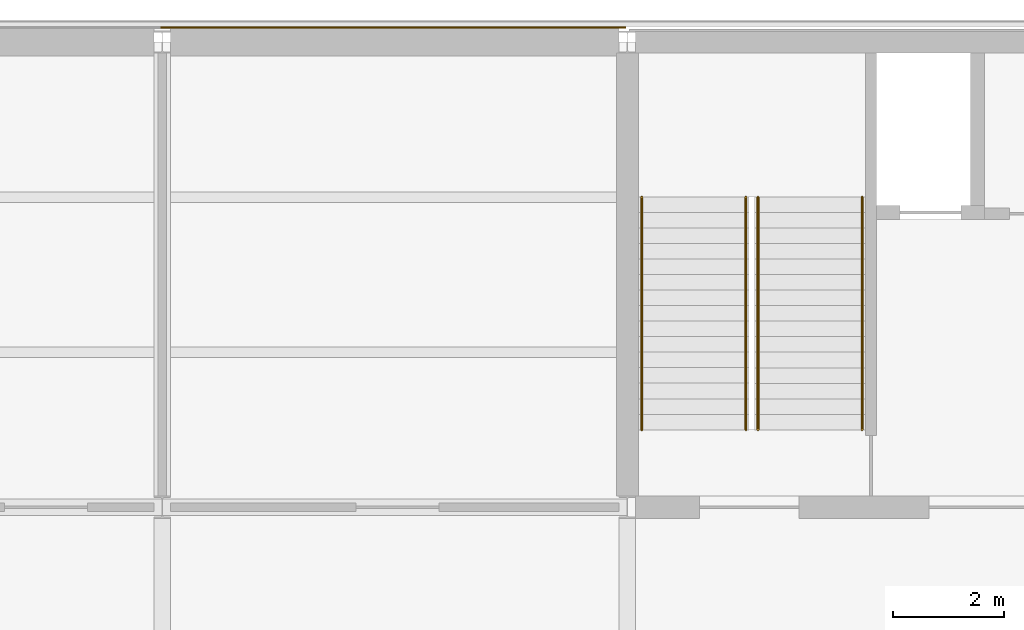
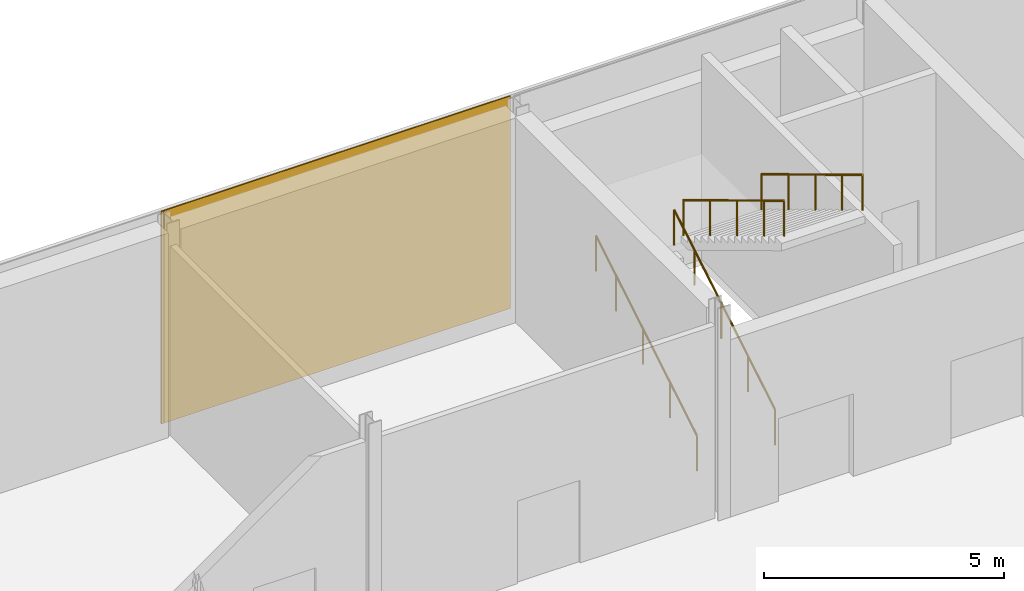
# One storey, part 42 of 57: 4 railings, 2 coverings.
"""IFC4 building model written with IfcOpenShell, lengths in metres."""

from ifc_helpers import new_model, si_unit, direction, frame, origin, origin_2d, place, context, subcontext, project, spatial, rectangle, circle, extrude, material, layer, layer_set, type_object, element, save


model = new_model("IFC4")

# Units and contexts
model_context = context("Model", 3, precision=1e-05, world=origin(), true_north=direction((0.0, 1.0)))
body_context = subcontext(model_context, "Body", "Model", "MODEL_VIEW")
ifc_project = project(units=[si_unit("LENGTHUNIT", "METRE"), si_unit("AREAUNIT", "SQUARE_METRE"), si_unit("VOLUMEUNIT", "CUBIC_METRE"), si_unit("PLANEANGLEUNIT", "RADIAN"), si_unit("MASSUNIT", "GRAM", prefix="KILO")], contexts=[model_context])

# Site, building, storey
site_placement = place(None, origin())
site = spatial("IfcSite", under=ifc_project, at=site_placement, CompositionType="ELEMENT")
building_placement = place(site_placement, origin())
building = spatial("IfcBuilding", under=site, at=building_placement, Name="Galleria Vessillo Department Store", CompositionType="ELEMENT")
storey_placement = place(building_placement, frame((0.0, 0.0, 25.800048828125)))
storey = spatial("IfcBuildingStorey", under=building, at=storey_placement, Name="L05", CompositionType="ELEMENT", Elevation=25.800048828125)

# Coverings
ifc_material_1 = material(Name="Lime plaster (intonaco) ochre")
ifc_layer = layer(ifc_material_1, 0.030029296875)
ifc_layer_set = layer_set([ifc_layer], Name="Lime plaster (intonaco) ochre")
covering_type = type_object("IfcCoveringType", Name="Lime plaster render 30 mm", PredefinedType="CLADDING", material=ifc_layer_set)
covering_1_placement = place(storey_placement, frame((29.39990234375, 63.264892578125, 0.0), z_axis=(0.0, 0.0, 1.0), x_axis=(1.0, 0.0, 0.0)))
element("IfcCovering", 1, at=covering_1_placement, inside=storey, type_object=covering_type, Name="Wall cladding S-PN-L05-03", PredefinedType="CLADDING", context=body_context, shape_type="SweptSolid", body=[
    extrude(rectangle(XDim=8.34033203125, YDim=0.030029296875, at=origin_2d()), origin(), (0.0, 0.0, 1.0), 5.39990234375),
])
covering_2_placement = place(storey_placement, frame((25.199951171875, 63.264892578125, 0.0), z_axis=(0.0, 0.0, 1.0), x_axis=(1.0, 0.0, 0.0)))
element("IfcCovering", 2, at=covering_2_placement, inside=storey, type_object=covering_type, Name="Joint block Wall cladding S-PN-L05-02", PredefinedType="CLADDING", context=body_context, shape_type="SweptSolid", body=[
    extrude(rectangle(XDim=0.059814453125, YDim=0.030029296875, at=origin_2d()), origin(), (0.0, 0.0, 1.0), 5.39990234375),
])

# Railings
ifc_material_2 = material(Name="Stainless steel tube", Category="steel")
railing_type = type_object("IfcRailingType", Name="Stair handrail steel tube 48 mm", PredefinedType="HANDRAIL", material=ifc_material_2)
for number, where, name in (
    (3, (33.860107421875, 56.0, 0.168701171875), "Handrail ST4 L05 flight 1A"),
    (4, (35.739990234375, 56.0, 0.168701171875), "Handrail ST4 L05 flight 1B"),
):
    element("IfcRailing", number, at=place(storey_placement, frame(where)), inside=storey, type_object=railing_type, Name=name, PredefinedType="HANDRAIL", context=body_context, shape_type="SweptSolid", body=[
        extrude(circle(Radius=0.02392578125, at=origin_2d()), frame((0.0, 0.0, 0.89599609375), z_axis=(0.0, 0.856486514401, 0.516169401116), x_axis=(-1.0, 0.0, 0.0)), (0.0, 0.0, 1.0), 1.307861328125),
        extrude(circle(Radius=0.02392578125, at=origin_2d()), frame((0.0, 1.1201171875, 1.57080078125), z_axis=(0.0, 0.856436765236, 0.516251941548), x_axis=(-1.0, 0.0, 0.0)), (0.0, 0.0, 1.0), 1.3076171875),
        extrude(circle(Radius=0.02392578125, at=origin_2d()), frame((0.0, 2.239990234375, 2.24609375), z_axis=(0.0, 0.856486514401, 0.516169401116), x_axis=(-1.0, 0.0, 0.0)), (0.0, 0.0, 1.0), 1.307861328125),
        extrude(circle(Radius=0.02392578125, at=origin_2d()), frame((0.0, 3.360107421875, 2.9208984375), z_axis=(0.0, 0.856502732318, 0.516142489563), x_axis=(-1.0, 0.0, 0.0)), (0.0, 0.0, 1.0), 0.98046875),
        extrude(circle(Radius=0.02099609375, at=origin_2d()), origin(), (0.0, 0.0, 1.0), 0.871826171875),
        extrude(circle(Radius=0.02099609375, at=origin_2d()), frame((0.0, 1.1201171875, 0.675048828125)), (0.0, 0.0, 1.0), 0.871826171875),
        extrude(circle(Radius=0.02099609375, at=origin_2d()), frame((0.0, 2.239990234375, 1.35009765625)), (0.0, 0.0, 1.0), 0.871826171875),
        extrude(circle(Radius=0.02099609375, at=origin_2d()), frame((0.0, 3.360107421875, 2.025146484375)), (0.0, 0.0, 1.0), 0.871826171875),
        extrude(circle(Radius=0.02099609375, at=origin_2d()), frame((0.0, 4.199951171875, 2.53125)), (0.0, 0.0, 1.0), 0.871826171875),
    ])
for number, where, name in (
    (5, (37.83984375, 60.199951171875, 2.86865234375), "Handrail ST4 L05 flight 2A"),
    (6, (35.9599609375, 60.199951171875, 2.86865234375), "Handrail ST4 L05 flight 2B"),
):
    element("IfcRailing", number, at=place(storey_placement, frame(where)), inside=storey, type_object=railing_type, Name=name, PredefinedType="HANDRAIL", context=body_context, shape_type="SweptSolid", body=[
        extrude(circle(Radius=0.02392578125, at=origin_2d()), frame((0.0, 0.0, 0.89599609375), z_axis=(0.0, -0.856486514401, 0.516169401116), x_axis=(1.0, 0.0, 0.0)), (0.0, 0.0, 1.0), 1.307861328125),
        extrude(circle(Radius=0.02392578125, at=origin_2d()), frame((0.0, -1.1201171875, 1.57080078125), z_axis=(0.0, -0.856436765236, 0.516251941548), x_axis=(1.0, 0.0, 0.0)), (0.0, 0.0, 1.0), 1.3076171875),
        extrude(circle(Radius=0.02392578125, at=origin_2d()), frame((0.0, -2.239990234375, 2.24609375), z_axis=(0.0, -0.856486514401, 0.516169401116), x_axis=(1.0, 0.0, 0.0)), (0.0, 0.0, 1.0), 1.307861328125),
        extrude(circle(Radius=0.02392578125, at=origin_2d()), frame((0.0, -3.360107421875, 2.9208984375), z_axis=(0.0, -0.856502732318, 0.516142489563), x_axis=(1.0, 0.0, 0.0)), (0.0, 0.0, 1.0), 0.98046875),
        extrude(circle(Radius=0.02099609375, at=origin_2d()), origin(), (0.0, 0.0, 1.0), 0.871826171875),
        extrude(circle(Radius=0.02099609375, at=origin_2d()), frame((0.0, -1.1201171875, 0.675048828125)), (0.0, 0.0, 1.0), 0.871826171875),
        extrude(circle(Radius=0.02099609375, at=origin_2d()), frame((0.0, -2.239990234375, 1.35009765625)), (0.0, 0.0, 1.0), 0.871826171875),
        extrude(circle(Radius=0.02099609375, at=origin_2d()), frame((0.0, -3.360107421875, 2.025146484375)), (0.0, 0.0, 1.0), 0.871826171875),
        extrude(circle(Radius=0.02099609375, at=origin_2d()), frame((0.0, -4.199951171875, 2.53125)), (0.0, 0.0, 1.0), 0.871826171875),
    ])

save(model, "model.ifc")
